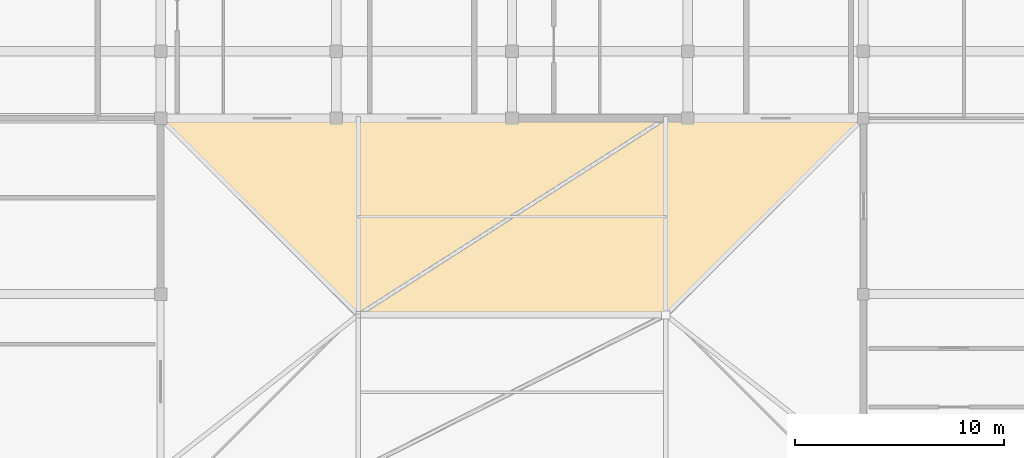
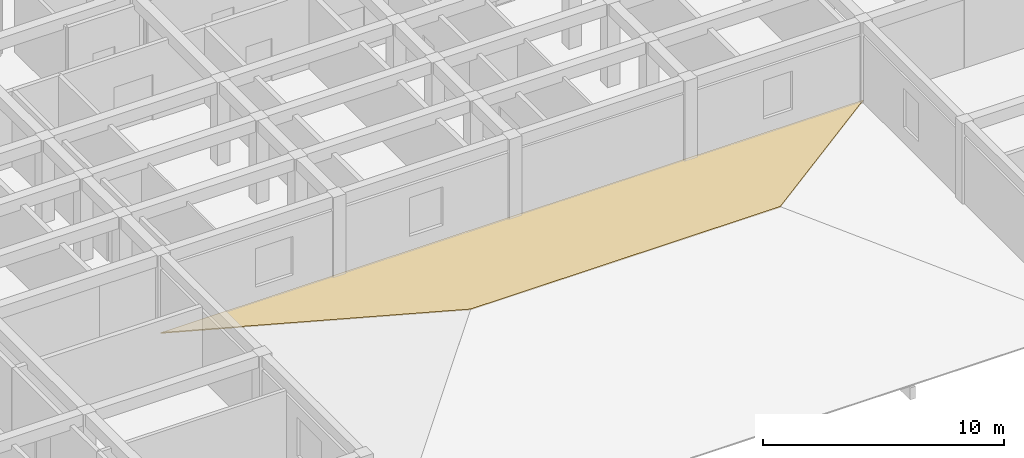
# One storey, part 34 of 42: 1 covering, 1 element without a shape of its own.
"""IFC4 building model written with IfcOpenShell, lengths in metres."""

from ifc_helpers import new_model, si_unit, direction, frame, origin, place, context, subcontext, project, spatial, polyline, outline, extrude, material, layer, layer_set, type_object, element, aggregate, save


model = new_model("IFC4")

# Units and contexts
model_context = context("Model", 3, precision=1e-05, world=origin(), true_north=direction((0.0, 1.0)))
body_context = subcontext(model_context, "Body", "Model", "MODEL_VIEW")
ifc_project = project(units=[si_unit("LENGTHUNIT", "METRE"), si_unit("AREAUNIT", "SQUARE_METRE"), si_unit("VOLUMEUNIT", "CUBIC_METRE"), si_unit("PLANEANGLEUNIT", "RADIAN"), si_unit("MASSUNIT", "GRAM", prefix="KILO")], contexts=[model_context])

# Site, building, storey
site_placement = place(None, origin())
site = spatial("IfcSite", under=ifc_project, at=site_placement, CompositionType="ELEMENT")
building_placement = place(site_placement, origin())
building = spatial("IfcBuilding", under=site, at=building_placement, Name="Varncliffe General Hospital", CompositionType="ELEMENT")
storey_placement = place(building_placement, frame((0.0, 0.0, 20.39990234375)))
storey = spatial("IfcBuildingStorey", under=building, at=storey_placement, Name="L04", CompositionType="ELEMENT", Elevation=20.39990234375)

# Roof, covering
ifc_material = material(Name="Terracotta clay roof tile over waterproof membrane", Category="masonry")
roof_type = type_object("IfcRoofType", Name="Hipped Clay-Tile Roof Assembly HR20", PredefinedType="HIP_ROOF", material=ifc_material)
roof_placement = place(storey_placement, origin())
roof = element("IfcRoof", 1, at=roof_placement, inside=storey, type_object=roof_type, Name="L04 Hipped Roof RF-V3-N", PredefinedType="HIP_ROOF")
ifc_layer = layer(ifc_material, 0.044921875)
ifc_layer_set = layer_set([ifc_layer], Name="Terracotta clay roof tile over waterproof membrane")
covering_type = type_object("IfcCoveringType", Name="Terracotta Clay Tile Roofing RFG24", PredefinedType="ROOFING", material=ifc_layer_set)
covering_placement = place(storey_placement, frame((58.800048828125, 99.60009765625, 0.045166015625), z_axis=(0.0, 0.357629714969, 0.933863473411), x_axis=(-1.0, 0.0, 0.0)))
covering = element("IfcCovering", 2, at=covering_placement, type_object=covering_type, Name="L04 RF-V3-N Terracotta Clay Tile Slope N", PredefinedType="ROOFING", context=body_context, shape_type="SweptSolid", body=[
    extrude(outline(polyline([(0.0, 0.0), (33.60009765625, 0.0), (24.199951171875, 10.06586803319343), (9.400146484375, 10.06586803319343), (0.0, 0.0)])), origin(), (0.0, 0.0, -1.0), 0.044921875),
])
aggregate(roof, [covering])

save(model, "model.ifc")
